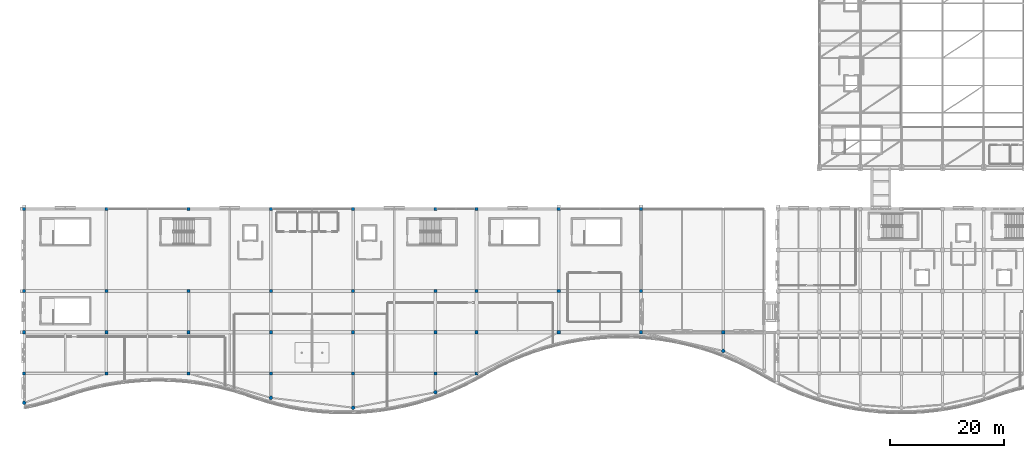
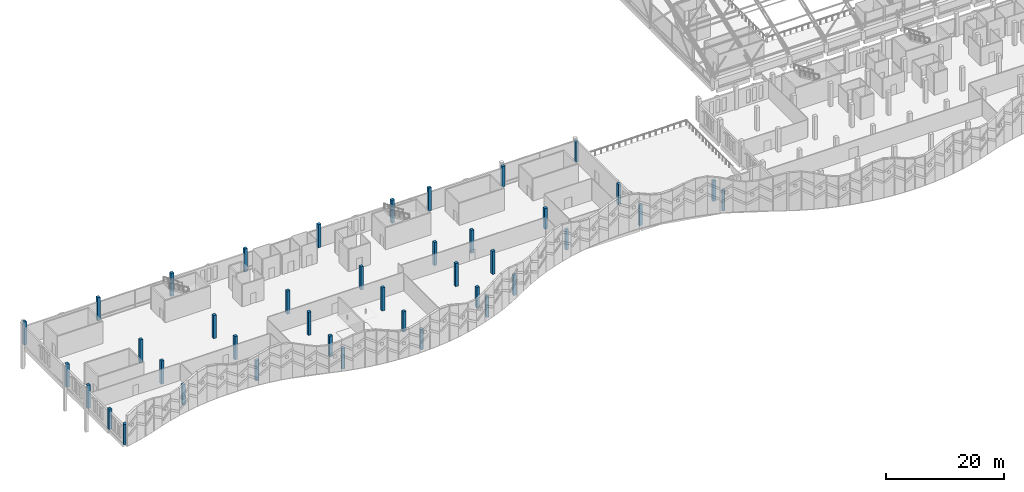
# One storey, part 1 of 116: 40 columns.
"""IFC4 building model written with IfcOpenShell, lengths in metres."""

from ifc_helpers import new_model, si_unit, direction, frame, origin, origin_2d, place, context, subcontext, project, spatial, rectangle, circle, extrude, material, material_profile, profile_set, type_object, element, save


model = new_model("IFC4")

# Units and contexts
model_context = context("Model", 3, precision=1e-05, world=origin(), true_north=direction((0.0, 1.0)))
body_context = subcontext(model_context, "Body", "Model", "MODEL_VIEW")
ifc_project = project(units=[si_unit("LENGTHUNIT", "METRE"), si_unit("AREAUNIT", "SQUARE_METRE"), si_unit("VOLUMEUNIT", "CUBIC_METRE"), si_unit("PLANEANGLEUNIT", "RADIAN"), si_unit("MASSUNIT", "GRAM", prefix="KILO")], contexts=[model_context])

# Site, building, storey
site_placement = place(None, origin())
site = spatial("IfcSite", under=ifc_project, at=site_placement, CompositionType="ELEMENT")
building_placement = place(site_placement, origin())
building = spatial("IfcBuilding", under=site, at=building_placement, Name="Cendralis Lancet Convention Centre", CompositionType="ELEMENT")
storey_placement = place(building_placement, frame((0.0, 0.0, 15.0)))
storey = spatial("IfcBuildingStorey", under=building, at=storey_placement, Name="L03", CompositionType="ELEMENT", Elevation=15.0)

# Columns
ifc_material = material(Name="Concrete G40 (C40/50)", Category="concrete")
ifc_material_profile_1 = material_profile(ifc_material, rectangle(XDim=0.550048828125, YDim=0.550048828125, at=origin_2d()), Name="RC 550x550")
ifc_profile_set_1 = profile_set([ifc_material_profile_1], Name="Concrete G40 (C40/50)")
column_type_1 = type_object("IfcColumnType", Name="STR-COL-C10", PredefinedType="COLUMN", material=ifc_profile_set_1)
column_1_placement = place(storey_placement, frame((0.0, 7.199951171875, 0.0), z_axis=(0.0, 0.0, 1.0), x_axis=(1.0, 0.0, 0.0)))
element("IfcColumn", 1, at=column_1_placement, inside=storey, type_object=column_type_1, Name="L03 Column C10 at 0.0,7.2", PredefinedType="COLUMN", context=body_context, shape_type="SweptSolid", body=[
    extrude(rectangle(XDim=0.550048828125, YDim=0.550048828125, at=origin_2d()), origin(), (0.0, 0.0, 1.0), 4.22998046875),
])
for number, where, z_axis, x_axis, name in (
    (2, (0.0, 14.39990234375, 0.0), (0.0, 0.0, 1.0), (1.0, 0.0, 0.0), "L03 Column C10 at 0.0,14.4"),
    (3, (0.0, 21.60009765625, 0.0), (0.0, 0.0, 1.0), (1.0, 0.0, 0.0), "L03 Column C10 at 0.0,21.6"),
    (4, (0.0, 36.0, 0.0), (0.0, 0.0, 1.0), (1.0, 0.0, 0.0), "L03 Column C10 at 0.0,36.0"),
    (5, (14.39990234375, 36.0, 0.0), (0.0, 0.0, 1.0), (1.0, 0.0, 0.0), "L03 Column C10 at 14.4,36.0"),
    (6, (28.800048828125, 36.0, 0.0), (0.0, 0.0, 1.0), (1.0, 0.0, 0.0), "L03 Column C10 at 28.8,36.0"),
    (7, (43.199951171875, 36.0, 0.0), (0.0, 0.0, 1.0), (1.0, 0.0, 0.0), "L03 Column C10 at 43.2,36.0"),
    (8, (57.60009765625, 36.0, 0.0), (0.0, 0.0, 1.0), (1.0, 0.0, 0.0), "L03 Column C10 at 57.6,36.0"),
    (9, (72.0, 36.0, 0.0), (0.0, 0.0, 1.0), (1.0, 0.0, 0.0), "L03 Column C10 at 72.0,36.0"),
    (10, (79.199951171875, 36.0, 0.0), (0.0, 0.0, 1.0), (1.0, 0.0, 0.0), "L03 Column C10 at 79.2,36.0"),
):
    element("IfcColumn", number, at=place(storey_placement, frame(where, z_axis=z_axis, x_axis=x_axis)), inside=storey, type_object=column_type_1, Name=name, PredefinedType="COLUMN", context=body_context, shape_type="SweptSolid", body=[
        extrude(rectangle(XDim=0.550048828125, YDim=0.550048828125, at=origin_2d()), origin(), (0.0, 0.0, 1.0), 4.800048828125),
    ])
for number, where, z_axis, x_axis, name in (
    (11, (93.60009765625, 36.0, 0.0), (0.0, 0.0, 1.0), (1.0, 0.0, 0.0), "L03 Column C10 at 93.6,36.0"),
    (12, (108.0, 14.39990234375, 0.0), (0.0, 0.0, 1.0), (1.0, 0.0, 0.0), "L03 Column C10 at 108.0,14.4"),
    (13, (108.0, 21.60009765625, 0.0), (0.0, 0.0, 1.0), (1.0, 0.0, 0.0), "L03 Column C10 at 108.0,21.6"),
    (14, (108.0, 36.0, 0.0), (0.0, 0.0, 1.0), (1.0, 0.0, 0.0), "L03 Column C10 at 108.0,36.0"),
):
    element("IfcColumn", number, at=place(storey_placement, frame(where, z_axis=z_axis, x_axis=x_axis)), inside=storey, type_object=column_type_1, Name=name, PredefinedType="COLUMN", context=body_context, shape_type="SweptSolid", body=[
        extrude(rectangle(XDim=0.550048828125, YDim=0.550048828125, at=origin_2d()), origin(), (0.0, 0.0, 1.0), 4.22998046875),
    ])
ifc_material_profile_2 = material_profile(ifc_material, rectangle(XDim=0.550048828125, YDim=0.550048828125, at=origin_2d()), Name="RC 550x550")
ifc_profile_set_2 = profile_set([ifc_material_profile_2], Name="Concrete G40 (C40/50)")
column_type_2 = type_object("IfcColumnType", Name="STR-COL-C10-INT", PredefinedType="COLUMN", material=ifc_profile_set_2)
column_2_placement = place(storey_placement, frame((14.39990234375, 7.199951171875, 0.0), z_axis=(0.0, 0.0, 1.0), x_axis=(1.0, 0.0, 0.0)))
element("IfcColumn", 15, at=column_2_placement, inside=storey, type_object=column_type_2, Name="L03 Column C10 at 14.4,7.2", PredefinedType="COLUMN", context=body_context, shape_type="SweptSolid", body=[
    extrude(rectangle(XDim=0.550048828125, YDim=0.550048828125, at=origin_2d()), origin(), (0.0, 0.0, 1.0), 4.22998046875),
])
for number, where, z_axis, x_axis, name in (
    (16, (14.39990234375, 14.39990234375, 0.0), (0.0, 0.0, 1.0), (1.0, 0.0, 0.0), "L03 Column C10 at 14.4,14.4"),
    (17, (14.39990234375, 21.60009765625, 0.0), (0.0, 0.0, 1.0), (1.0, 0.0, 0.0), "L03 Column C10 at 14.4,21.6"),
):
    element("IfcColumn", number, at=place(storey_placement, frame(where, z_axis=z_axis, x_axis=x_axis)), inside=storey, type_object=column_type_2, Name=name, PredefinedType="COLUMN", context=body_context, shape_type="SweptSolid", body=[
        extrude(rectangle(XDim=0.550048828125, YDim=0.550048828125, at=origin_2d()), origin(), (0.0, 0.0, 1.0), 4.800048828125),
    ])
column_3_placement = place(storey_placement, frame((28.800048828125, 7.199951171875, 0.0), z_axis=(0.0, 0.0, 1.0), x_axis=(1.0, 0.0, 0.0)))
element("IfcColumn", 18, at=column_3_placement, inside=storey, type_object=column_type_2, Name="L03 Column C10 at 28.8,7.2", PredefinedType="COLUMN", context=body_context, shape_type="SweptSolid", body=[
    extrude(rectangle(XDim=0.550048828125, YDim=0.550048828125, at=origin_2d()), origin(), (0.0, 0.0, 1.0), 4.22998046875),
])
for number, where, z_axis, x_axis, name in (
    (19, (28.800048828125, 14.39990234375, 0.0), (0.0, 0.0, 1.0), (1.0, 0.0, 0.0), "L03 Column C10 at 28.8,14.4"),
    (20, (28.800048828125, 21.60009765625, 0.0), (0.0, 0.0, 1.0), (1.0, 0.0, 0.0), "L03 Column C10 at 28.8,21.6"),
):
    element("IfcColumn", number, at=place(storey_placement, frame(where, z_axis=z_axis, x_axis=x_axis)), inside=storey, type_object=column_type_2, Name=name, PredefinedType="COLUMN", context=body_context, shape_type="SweptSolid", body=[
        extrude(rectangle(XDim=0.550048828125, YDim=0.550048828125, at=origin_2d()), origin(), (0.0, 0.0, 1.0), 4.800048828125),
    ])
column_4_placement = place(storey_placement, frame((43.199951171875, 7.199951171875, 0.0), z_axis=(0.0, 0.0, 1.0), x_axis=(1.0, 0.0, 0.0)))
element("IfcColumn", 21, at=column_4_placement, inside=storey, type_object=column_type_2, Name="L03 Column C10 at 43.2,7.2", PredefinedType="COLUMN", context=body_context, shape_type="SweptSolid", body=[
    extrude(rectangle(XDim=0.550048828125, YDim=0.550048828125, at=origin_2d()), origin(), (0.0, 0.0, 1.0), 4.22998046875),
])
for number, where, z_axis, x_axis, name in (
    (22, (43.199951171875, 14.39990234375, 0.0), (0.0, 0.0, 1.0), (1.0, 0.0, 0.0), "L03 Column C10 at 43.2,14.4"),
    (23, (43.199951171875, 21.60009765625, 0.0), (0.0, 0.0, 1.0), (1.0, 0.0, 0.0), "L03 Column C10 at 43.2,21.6"),
):
    element("IfcColumn", number, at=place(storey_placement, frame(where, z_axis=z_axis, x_axis=x_axis)), inside=storey, type_object=column_type_2, Name=name, PredefinedType="COLUMN", context=body_context, shape_type="SweptSolid", body=[
        extrude(rectangle(XDim=0.550048828125, YDim=0.550048828125, at=origin_2d()), origin(), (0.0, 0.0, 1.0), 4.800048828125),
    ])
column_5_placement = place(storey_placement, frame((57.60009765625, 7.199951171875, 0.0), z_axis=(0.0, 0.0, 1.0), x_axis=(1.0, 0.0, 0.0)))
element("IfcColumn", 24, at=column_5_placement, inside=storey, type_object=column_type_2, Name="L03 Column C10 at 57.6,7.2", PredefinedType="COLUMN", context=body_context, shape_type="SweptSolid", body=[
    extrude(rectangle(XDim=0.550048828125, YDim=0.550048828125, at=origin_2d()), origin(), (0.0, 0.0, 1.0), 4.22998046875),
])
for number, where, z_axis, x_axis, name in (
    (25, (57.60009765625, 14.39990234375, 0.0), (0.0, 0.0, 1.0), (1.0, 0.0, 0.0), "L03 Column C10 at 57.6,14.4"),
    (26, (57.60009765625, 21.60009765625, 0.0), (0.0, 0.0, 1.0), (1.0, 0.0, 0.0), "L03 Column C10 at 57.6,21.6"),
):
    element("IfcColumn", number, at=place(storey_placement, frame(where, z_axis=z_axis, x_axis=x_axis)), inside=storey, type_object=column_type_2, Name=name, PredefinedType="COLUMN", context=body_context, shape_type="SweptSolid", body=[
        extrude(rectangle(XDim=0.550048828125, YDim=0.550048828125, at=origin_2d()), origin(), (0.0, 0.0, 1.0), 4.800048828125),
    ])
column_6_placement = place(storey_placement, frame((72.0, 7.199951171875, 0.0), z_axis=(0.0, 0.0, 1.0), x_axis=(1.0, 0.0, 0.0)))
element("IfcColumn", 27, at=column_6_placement, inside=storey, type_object=column_type_2, Name="L03 Column C10 at 72.0,7.2", PredefinedType="COLUMN", context=body_context, shape_type="SweptSolid", body=[
    extrude(rectangle(XDim=0.550048828125, YDim=0.550048828125, at=origin_2d()), origin(), (0.0, 0.0, 1.0), 4.22998046875),
])
for number, where, z_axis, x_axis, name in (
    (28, (72.0, 14.39990234375, 0.0), (0.0, 0.0, 1.0), (1.0, 0.0, 0.0), "L03 Column C10 at 72.0,14.4"),
    (29, (72.0, 21.60009765625, 0.0), (0.0, 0.0, 1.0), (1.0, 0.0, 0.0), "L03 Column C10 at 72.0,21.6"),
):
    element("IfcColumn", number, at=place(storey_placement, frame(where, z_axis=z_axis, x_axis=x_axis)), inside=storey, type_object=column_type_2, Name=name, PredefinedType="COLUMN", context=body_context, shape_type="SweptSolid", body=[
        extrude(rectangle(XDim=0.550048828125, YDim=0.550048828125, at=origin_2d()), origin(), (0.0, 0.0, 1.0), 4.800048828125),
    ])
column_7_placement = place(storey_placement, frame((79.199951171875, 7.199951171875, 0.0), z_axis=(0.0, 0.0, 1.0), x_axis=(1.0, 0.0, 0.0)))
element("IfcColumn", 30, at=column_7_placement, inside=storey, type_object=column_type_2, Name="L03 Column C10 at 79.2,7.2", PredefinedType="COLUMN", context=body_context, shape_type="SweptSolid", body=[
    extrude(rectangle(XDim=0.550048828125, YDim=0.550048828125, at=origin_2d()), origin(), (0.0, 0.0, 1.0), 4.22998046875),
])
for number, where, z_axis, x_axis, name in (
    (31, (79.199951171875, 14.39990234375, 0.0), (0.0, 0.0, 1.0), (1.0, 0.0, 0.0), "L03 Column C10 at 79.2,14.4"),
    (32, (79.199951171875, 21.60009765625, 0.0), (0.0, 0.0, 1.0), (1.0, 0.0, 0.0), "L03 Column C10 at 79.2,21.6"),
):
    element("IfcColumn", number, at=place(storey_placement, frame(where, z_axis=z_axis, x_axis=x_axis)), inside=storey, type_object=column_type_2, Name=name, PredefinedType="COLUMN", context=body_context, shape_type="SweptSolid", body=[
        extrude(rectangle(XDim=0.550048828125, YDim=0.550048828125, at=origin_2d()), origin(), (0.0, 0.0, 1.0), 4.800048828125),
    ])
for number, where, z_axis, x_axis, name in (
    (33, (93.60009765625, 14.39990234375, 0.0), (0.0, 0.0, 1.0), (1.0, 0.0, 0.0), "L03 Column C10 at 93.6,14.4"),
    (34, (93.60009765625, 21.60009765625, 0.0), (0.0, 0.0, 1.0), (1.0, 0.0, 0.0), "L03 Column C10 at 93.6,21.6"),
    (35, (122.39990234375, 14.39990234375, 0.0), (0.0, 0.0, 1.0), (1.0, 0.0, 0.0), "L03 Column C10 at 122.4,14.4"),
):
    element("IfcColumn", number, at=place(storey_placement, frame(where, z_axis=z_axis, x_axis=x_axis)), inside=storey, type_object=column_type_2, Name=name, PredefinedType="COLUMN", context=body_context, shape_type="SweptSolid", body=[
        extrude(rectangle(XDim=0.550048828125, YDim=0.550048828125, at=origin_2d()), origin(), (0.0, 0.0, 1.0), 4.22998046875),
    ])
ifc_material_profile_3 = material_profile(ifc_material, circle(Radius=0.324951171875, at=origin_2d()), Name="RC D650")
ifc_profile_set_3 = profile_set([ifc_material_profile_3], Name="Concrete G40 (C40/50)")
column_type_3 = type_object("IfcColumnType", Name="STR-COL-C19", PredefinedType="COLUMN", material=ifc_profile_set_3)
for number, where, z_axis, x_axis, name in (
    (36, (0.0, 2.04541015625, 0.0), (0.0, 0.0, 1.0), (1.0, 0.0, 0.0), "L03 Column C19 at 0.0,2.0"),
    (37, (43.199951171875, 2.921630859375, 0.0), (0.0, 0.0, 1.0), (1.0, 0.0, 0.0), "L03 Column C19 at 43.2,2.9"),
    (38, (57.60009765625, 1.195068359375, 0.0), (0.0, 0.0, 1.0), (1.0, 0.0, 0.0), "L03 Column C19 at 57.6,1.2"),
    (39, (72.0, 3.89794921875, 0.0), (0.0, 0.0, 1.0), (1.0, 0.0, 0.0), "L03 Column C19 at 72.0,3.9"),
    (40, (122.39990234375, 11.126953125, 0.0), (0.0, 0.0, 1.0), (1.0, 0.0, 0.0), "L03 Column C19 at 122.4,11.1"),
):
    element("IfcColumn", number, at=place(storey_placement, frame(where, z_axis=z_axis, x_axis=x_axis)), inside=storey, type_object=column_type_3, Name=name, PredefinedType="COLUMN", context=body_context, shape_type="SweptSolid", body=[
        extrude(circle(Radius=0.324951171875, at=origin_2d()), origin(), (0.0, 0.0, 1.0), 4.22998046875),
    ])

save(model, "model.ifc")
